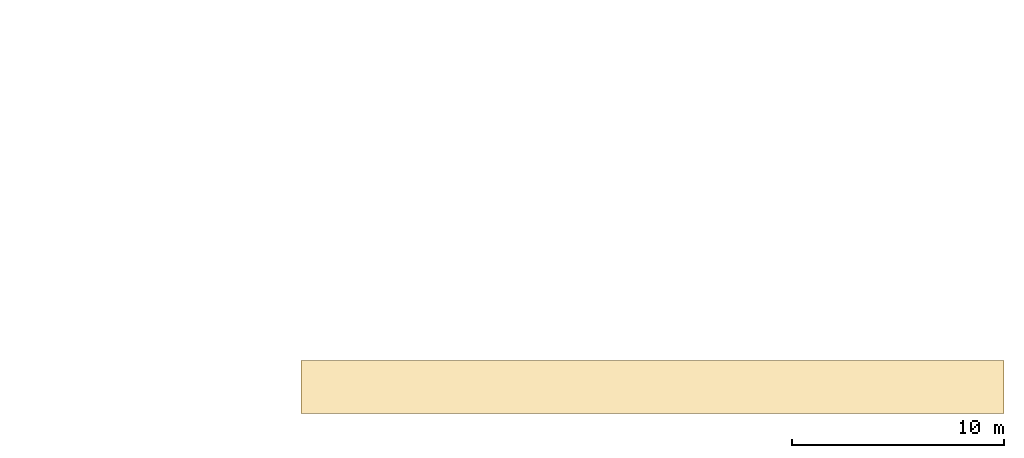
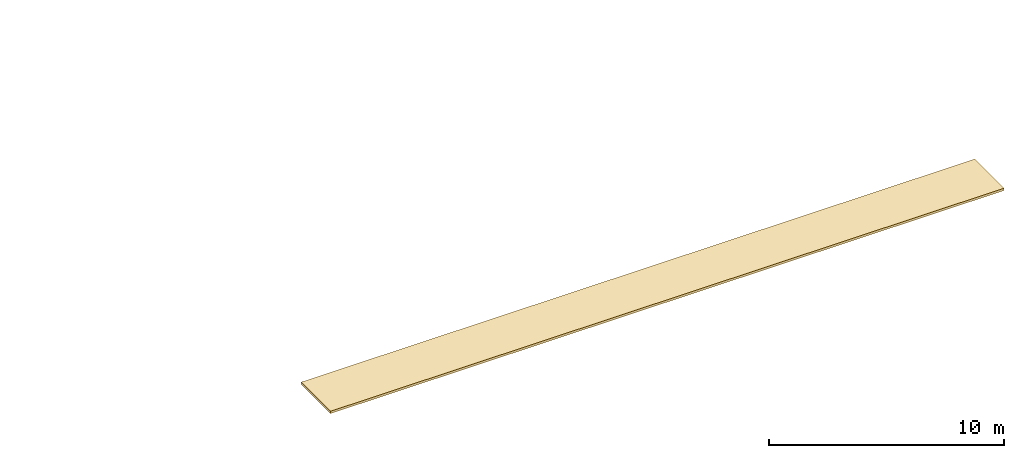
# One storey, part 2 of 2: 1 covering.
"""IFC4 building model written with IfcOpenShell, lengths in metres."""

from ifc_helpers import new_model, si_unit, direction, frame, origin, origin_2d, place, context, subcontext, project, spatial, rectangle, extrude, material, layer, layer_set, type_object, element, save


model = new_model("IFC4")

# Units and contexts
model_context = context("Model", 3, precision=1e-05, world=origin(), true_north=direction((0.0, 1.0)))
body_context = subcontext(model_context, "Body", "Model", "MODEL_VIEW")
ifc_project = project(units=[si_unit("LENGTHUNIT", "METRE"), si_unit("AREAUNIT", "SQUARE_METRE"), si_unit("VOLUMEUNIT", "CUBIC_METRE"), si_unit("PLANEANGLEUNIT", "RADIAN"), si_unit("MASSUNIT", "GRAM", prefix="KILO")], contexts=[model_context])

# Site, building, storey
site_placement = place(None, origin())
site = spatial("IfcSite", under=ifc_project, at=site_placement, CompositionType="ELEMENT")
building_placement = place(site_placement, origin())
building = spatial("IfcBuilding", under=site, at=building_placement, Name="Wasatch Bagh Community Centre", CompositionType="ELEMENT")
storey_placement = place(building_placement, frame((0.0, 0.0, 21.0)))
storey = spatial("IfcBuildingStorey", under=building, at=storey_placement, Name="Roof", CompositionType="ELEMENT", Elevation=21.0)

# Covering
ifc_material = material(Name="ASTM A653 Grade 50 steel roof deck assembly", Category="steel")
ifc_layer = layer(ifc_material, 0.1201171875)
ifc_layer_set = layer_set([ifc_layer], Name="ASTM A653 Grade 50 steel roof deck assembly")
covering_type = type_object("IfcCoveringType", Name="SH lantern roof 120", PredefinedType="ROOFING", material=ifc_layer_set)
covering_placement = place(storey_placement, frame((129.0, 52.0, 0.6533203125), z_axis=(0.0, 0.0, 1.0), x_axis=(1.0, 0.0, 0.0)))
element("IfcCovering", 1, at=covering_placement, inside=storey, type_object=covering_type, Name="Lantern roof", PredefinedType="ROOFING", context=body_context, shape_type="SweptSolid", body=[
    extrude(rectangle(XDim=33.10009765625, YDim=2.5, at=origin_2d()), origin(), (0.0, 0.0, 1.0), 0.1201171875),
])

save(model, "model.ifc")
